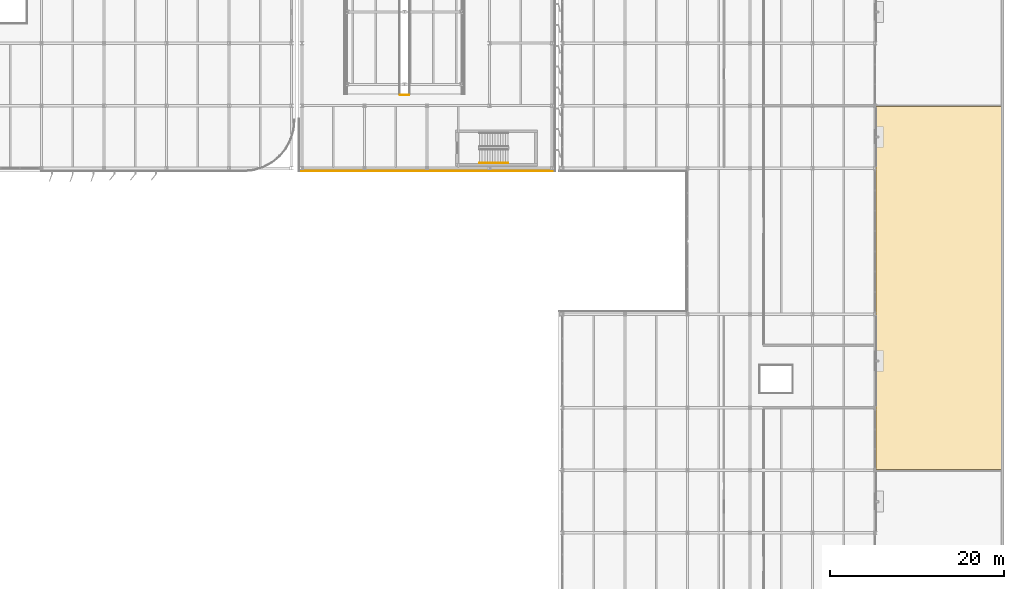
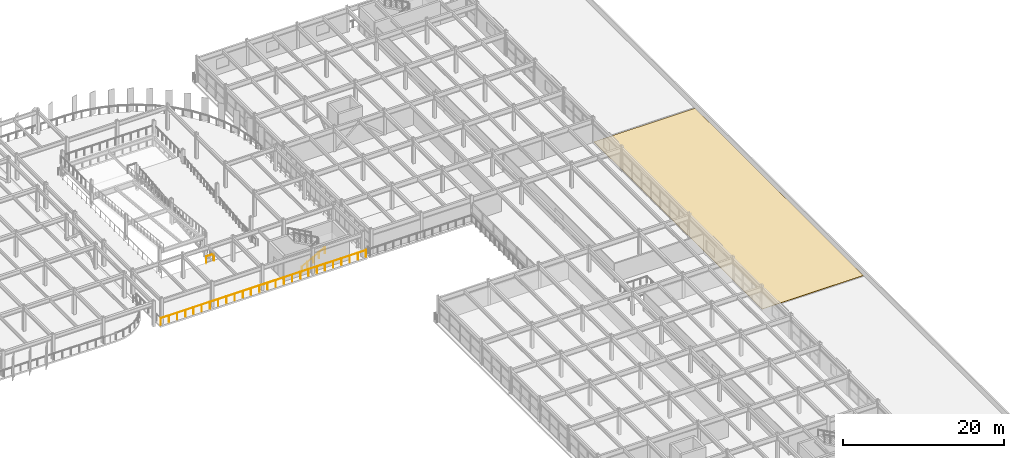
# One storey, part 74 of 80: 3 railings, 1 covering.
"""IFC4 building model written with IfcOpenShell, lengths in metres."""

from ifc_helpers import new_model, si_unit, direction, frame, origin, origin_2d, place, context, subcontext, project, spatial, polyline, circle, outline, extrude, material, layer, layer_set, type_object, element, save


model = new_model("IFC4")

# Units and contexts
model_context = context("Model", 3, precision=1e-05, world=origin(), true_north=direction((0.0, 1.0)))
body_context = subcontext(model_context, "Body", "Model", "MODEL_VIEW")
ifc_project = project(units=[si_unit("LENGTHUNIT", "METRE"), si_unit("AREAUNIT", "SQUARE_METRE"), si_unit("VOLUMEUNIT", "CUBIC_METRE"), si_unit("PLANEANGLEUNIT", "RADIAN"), si_unit("MASSUNIT", "GRAM", prefix="KILO")], contexts=[model_context])

# Site, building, storey
site_placement = place(None, origin())
site = spatial("IfcSite", under=ifc_project, at=site_placement, CompositionType="ELEMENT")
building_placement = place(site_placement, origin())
building = spatial("IfcBuilding", under=site, at=building_placement, Name="Vaelcorin Mobility Hub", CompositionType="ELEMENT")
storey_placement = place(building_placement, frame((0.0, 0.0, 9.300048828125)))
storey = spatial("IfcBuildingStorey", under=building, at=storey_placement, Name="L02", CompositionType="ELEMENT", Elevation=9.300048828125)

# Covering
ifc_material_1 = material(Name="TPO reflective insulated roofing membrane")
ifc_layer_1 = layer(ifc_material_1, 0.06494140625)
ifc_layer_set_1 = layer_set([ifc_layer_1], Name="TPO reflective insulated roofing membrane")
covering_type = type_object("IfcCoveringType", Name="COV-ROOF-V5", PredefinedType="ROOFING", material=ifc_layer_set_1)
covering_placement = place(storey_placement, origin())
element("IfcCovering", 1, at=covering_placement, inside=storey, type_object=covering_type, Name="East Cycle Wing TPO Roofing Membrane 2", PredefinedType="ROOFING", context=body_context, shape_type="SweptSolid", body=[
    extrude(outline(polyline([(189.699951171875, 42.10009765625), (204.199951171875, 42.10009765625), (204.199951171875, 83.89990234375), (189.699951171875, 83.89990234375), (189.699951171875, 42.10009765625)])), origin(), (0.0, 0.0, 1.0), 0.06494140625),
])

# Railings
ifc_material_2 = material(Name="Galvanised structural steel ASTM A36", Category="steel")
ifc_layer_2 = layer(ifc_material_2, 0.070068359375)
ifc_layer_set_2 = layer_set([ifc_layer_2], Name="Galvanised structural steel ASTM A36")
railing_type_1 = type_object("IfcRailingType", Name="RL-GUARD-1100", PredefinedType="BALUSTRADE", material=ifc_layer_set_2)
railing_1_placement = place(storey_placement, frame((134.85009765625, 85.219970703125, 0.0)))
element("IfcRailing", 2, at=railing_1_placement, inside=storey, type_object=railing_type_1, Name="L02 Perimeter Guard GR-V2E-L02-WELL-MED-01", PredefinedType="BALUSTRADE", context=body_context, shape_type="SweptSolid", body=[
    extrude(circle(Radius=0.02392578125, at=origin_2d()), frame((0.0, 0.0, 1.076171875), z_axis=(1.0, 0.0, 0.0), x_axis=(0.0, 1.0, 0.0)), (0.0, 0.0, 1.0), 1.099853515625),
    extrude(circle(Radius=0.02099609375, at=origin_2d()), origin(), (0.0, 0.0, 1.0), 1.052001953125),
    extrude(circle(Radius=0.02099609375, at=origin_2d()), frame((1.099853515625, 0.0, 0.0)), (0.0, 0.0, 1.0), 1.052001953125),
])
railing_2_placement = place(storey_placement, frame((152.72998046875, 76.469970703125, 0.0)))
element("IfcRailing", 3, at=railing_2_placement, inside=storey, type_object=railing_type_1, Name="L02 Perimeter Guard GR-V2E-L02-15", PredefinedType="BALUSTRADE", context=body_context, shape_type="SweptSolid", body=[
    extrude(circle(Radius=0.02392578125, at=origin_2d()), frame((0.0, 0.0, 1.076171875), z_axis=(-1.0, 0.0, 0.0), x_axis=(0.0, -1.0, 0.0)), (0.0, 0.0, 1.0), 29.4599609375),
    extrude(circle(Radius=0.02099609375, at=origin_2d()), origin(), (0.0, 0.0, 1.0), 1.052001953125),
    extrude(circle(Radius=0.02099609375, at=origin_2d()), frame((-1.178466796875, 0.0, 0.0)), (0.0, 0.0, 1.0), 1.052001953125),
    extrude(circle(Radius=0.02099609375, at=origin_2d()), frame((-2.356689453125, 0.0, 0.0)), (0.0, 0.0, 1.0), 1.052001953125),
    extrude(circle(Radius=0.02099609375, at=origin_2d()), frame((-3.53515625, 0.0, 0.0)), (0.0, 0.0, 1.0), 1.052001953125),
    extrude(circle(Radius=0.02099609375, at=origin_2d()), frame((-4.713623046875, 0.0, 0.0)), (0.0, 0.0, 1.0), 1.052001953125),
    extrude(circle(Radius=0.02099609375, at=origin_2d()), frame((-5.89208984375, 0.0, 0.0)), (0.0, 0.0, 1.0), 1.052001953125),
    extrude(circle(Radius=0.02099609375, at=origin_2d()), frame((-7.0703125, 0.0, 0.0)), (0.0, 0.0, 1.0), 1.052001953125),
    extrude(circle(Radius=0.02099609375, at=origin_2d()), frame((-8.248779296875, 0.0, 0.0)), (0.0, 0.0, 1.0), 1.052001953125),
    extrude(circle(Radius=0.02099609375, at=origin_2d()), frame((-9.42724609375, 0.0, 0.0)), (0.0, 0.0, 1.0), 1.052001953125),
    extrude(circle(Radius=0.02099609375, at=origin_2d()), frame((-10.60546875, 0.0, 0.0)), (0.0, 0.0, 1.0), 1.052001953125),
    extrude(circle(Radius=0.02099609375, at=origin_2d()), frame((-11.783935546875, 0.0, 0.0)), (0.0, 0.0, 1.0), 1.052001953125),
    extrude(circle(Radius=0.02099609375, at=origin_2d()), frame((-12.96240234375, 0.0, 0.0)), (0.0, 0.0, 1.0), 1.052001953125),
    extrude(circle(Radius=0.02099609375, at=origin_2d()), frame((-14.140869140625, 0.0, 0.0)), (0.0, 0.0, 1.0), 1.052001953125),
    extrude(circle(Radius=0.02099609375, at=origin_2d()), frame((-15.319091796875, 0.0, 0.0)), (0.0, 0.0, 1.0), 1.052001953125),
    extrude(circle(Radius=0.02099609375, at=origin_2d()), frame((-16.49755859375, 0.0, 0.0)), (0.0, 0.0, 1.0), 1.052001953125),
    extrude(circle(Radius=0.02099609375, at=origin_2d()), frame((-17.676025390625, 0.0, 0.0)), (0.0, 0.0, 1.0), 1.052001953125),
    extrude(circle(Radius=0.02099609375, at=origin_2d()), frame((-18.8544921875, 0.0, 0.0)), (0.0, 0.0, 1.0), 1.052001953125),
    extrude(circle(Radius=0.02099609375, at=origin_2d()), frame((-20.03271484375, 0.0, 0.0)), (0.0, 0.0, 1.0), 1.052001953125),
    extrude(circle(Radius=0.02099609375, at=origin_2d()), frame((-21.211181640625, 0.0, 0.0)), (0.0, 0.0, 1.0), 1.052001953125),
    extrude(circle(Radius=0.02099609375, at=origin_2d()), frame((-22.3896484375, 0.0, 0.0)), (0.0, 0.0, 1.0), 1.052001953125),
    extrude(circle(Radius=0.02099609375, at=origin_2d()), frame((-23.56787109375, 0.0, 0.0)), (0.0, 0.0, 1.0), 1.052001953125),
    extrude(circle(Radius=0.02099609375, at=origin_2d()), frame((-24.746337890625, 0.0, 0.0)), (0.0, 0.0, 1.0), 1.052001953125),
    extrude(circle(Radius=0.02099609375, at=origin_2d()), frame((-25.9248046875, 0.0, 0.0)), (0.0, 0.0, 1.0), 1.052001953125),
    extrude(circle(Radius=0.02099609375, at=origin_2d()), frame((-27.103271484375, 0.0, 0.0)), (0.0, 0.0, 1.0), 1.052001953125),
    extrude(circle(Radius=0.02099609375, at=origin_2d()), frame((-28.281494140625, 0.0, 0.0)), (0.0, 0.0, 1.0), 1.052001953125),
    extrude(circle(Radius=0.02099609375, at=origin_2d()), frame((-29.4599609375, 0.0, 0.0)), (0.0, 0.0, 1.0), 1.052001953125),
])
ifc_material_3 = material(Name="Brushed stainless steel 316L", Category="steel")
ifc_layer_3 = layer(ifc_material_3, 0.048095703125)
ifc_layer_set_3 = layer_set([ifc_layer_3], Name="Brushed stainless steel 316L")
railing_type_2 = type_object("IfcRailingType", Name="RL-STAIR-HR", PredefinedType="HANDRAIL", material=ifc_layer_set_3)
railing_3_placement = place(storey_placement, frame((144.050048828125, 77.39990234375, 0.162353515625)))
element("IfcRailing", 4, at=railing_3_placement, inside=storey, type_object=railing_type_2, Name="L02 ST2 stair handrail 1", PredefinedType="HANDRAIL", context=body_context, shape_type="SweptSolid", body=[
    extrude(circle(Radius=0.02392578125, at=origin_2d()), frame((0.0, 0.0, 0.8759765625), z_axis=(0.879284020681, 0.0, 0.476297817521), x_axis=(0.0, 1.0, 0.0)), (0.0, 0.0, 1.0), 3.753173828125),
    extrude(circle(Radius=0.02099609375, at=origin_2d()), origin(), (0.0, 0.0, 1.0), 0.851806640625),
    extrude(circle(Radius=0.02099609375, at=origin_2d()), frame((0.824951171875, 0.0, 0.44677734375)), (0.0, 0.0, 1.0), 0.851806640625),
    extrude(circle(Radius=0.02099609375, at=origin_2d()), frame((1.64990234375, 0.0, 0.893798828125)), (0.0, 0.0, 1.0), 0.851806640625),
    extrude(circle(Radius=0.02099609375, at=origin_2d()), frame((2.47509765625, 0.0, 1.3408203125)), (0.0, 0.0, 1.0), 0.851806640625),
    extrude(circle(Radius=0.02099609375, at=origin_2d()), frame((3.300048828125, 0.0, 1.78759765625)), (0.0, 0.0, 1.0), 0.851806640625),
])

save(model, "model.ifc")
